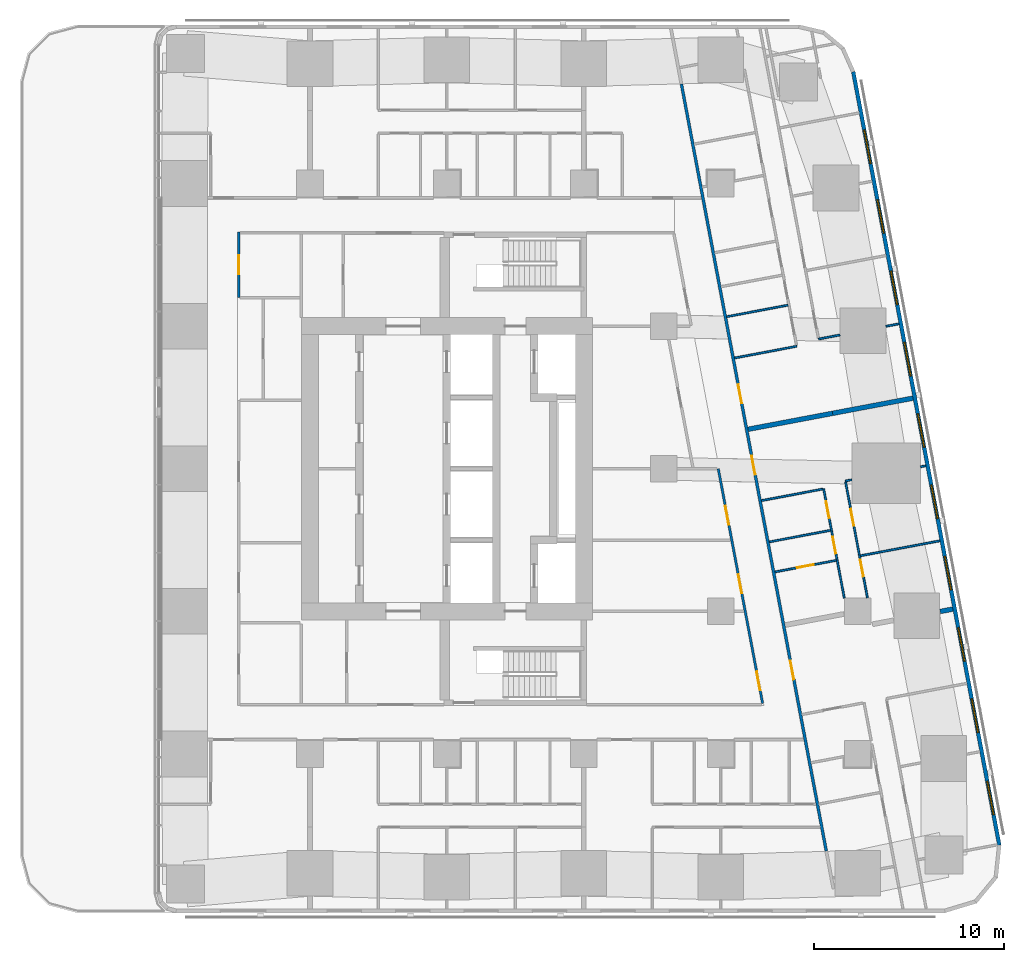
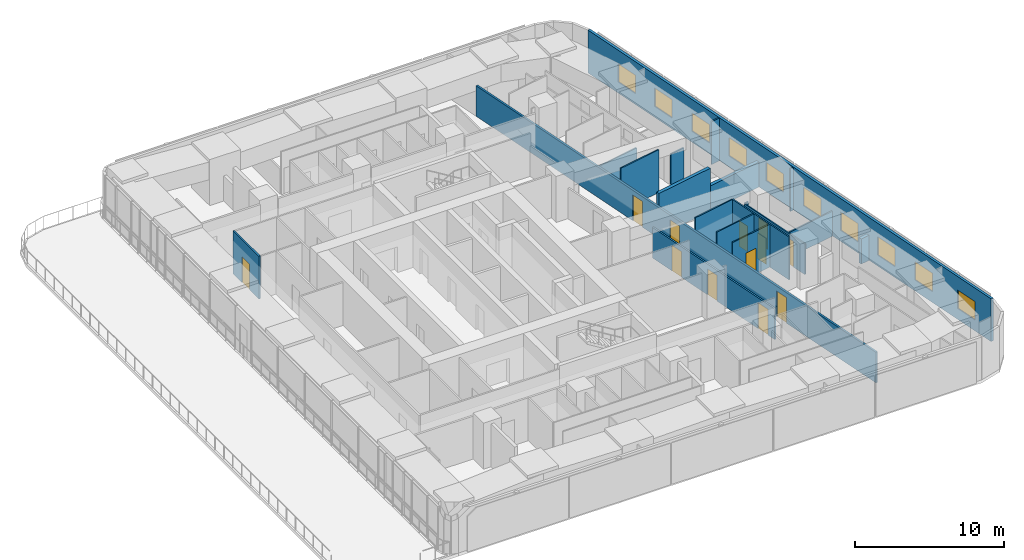
# One storey, part 11 of 17: 19 walls, 12 doors, 10 windows, 22 openings.
"""IFC4 building model written with IfcOpenShell, lengths in metres."""

from ifc_helpers import new_model, si_unit, direction, frame, frame_2d, origin, place, context, subcontext, project, spatial, rectangle, extrude, material, layer, layer_set, type_object, element, fill, save


model = new_model("IFC4")

# Units and contexts
model_context = context("Model", 3, precision=1e-05, world=origin(), true_north=direction((0.0, 1.0)))
body_context = subcontext(model_context, "Body", "Model", "MODEL_VIEW")
ifc_project = project(units=[si_unit("LENGTHUNIT", "METRE"), si_unit("AREAUNIT", "SQUARE_METRE"), si_unit("VOLUMEUNIT", "CUBIC_METRE"), si_unit("PLANEANGLEUNIT", "RADIAN"), si_unit("MASSUNIT", "GRAM", prefix="KILO")], contexts=[model_context])

# Site, building, storey
site_placement = place(None, origin())
site = spatial("IfcSite", under=ifc_project, at=site_placement, CompositionType="ELEMENT")
building_placement = place(site_placement, origin())
building = spatial("IfcBuilding", under=site, at=building_placement, Name="Sheger Commons Tower", CompositionType="ELEMENT")
storey_placement = place(building_placement, frame((0.0, 0.0, 193.699951171875)))
storey = spatial("IfcBuildingStorey", under=building, at=storey_placement, Name="L49", CompositionType="ELEMENT", Elevation=193.699951171875)

# Wall, openings, doors
ifc_material_1 = material(Name="Hollow concrete block masonry, skimmed both sides", Category="masonry")
ifc_layer_1 = layer(ifc_material_1, 0.14990234375)
ifc_layer_set_1 = layer_set([ifc_layer_1], Name="CORRIDOR WALL 150")
wall_type_1 = type_object("IfcWallType", Name="CORRIDOR WALL 150", PredefinedType="SOLIDWALL", material=ifc_layer_set_1)
wall_1_placement = place(storey_placement, frame((33.93310546875, 42.72998046875, 0.0), z_axis=(0.0, 0.0, 1.0), x_axis=(0.185595417643, -0.982626246825, 0.0)))
wall_1 = element("IfcWall", 1, at=wall_1_placement, inside=storey, type_object=wall_type_1, Name="Corridor wall L49", PredefinedType="SOLIDWALL", context=body_context, shape_type="SweptSolid", body=[
    extrude(rectangle(XDim=41.051025390625, YDim=0.14990234375, at=frame_2d((20.525390625, 0.0))), origin(), (0.0, 0.0, 1.0), 2.5),
])
opening_1_placement = place(wall_1_placement, frame((16.08203125, 0.0, 0.0)))
opening_1 = element("IfcOpeningElement", 2, at=opening_1_placement, cuts=wall_1, Name="Opening D1", PredefinedType="OPENING", context=body_context, shape_type="SweptSolid", body=[
    extrude(rectangle(XDim=1.0, YDim=2.10009765625, at=frame_2d((0.5, 1.050048828125))), frame((0.0, 0.0849609375, 0.0), z_axis=(0.0, -1.0, 0.0), x_axis=(1.0, 0.0, 0.0)), (0.0, 0.0, 1.0), 0.169921875),
])
opening_2_placement = place(wall_1_placement, frame((19.89794921875, 0.0, 0.0)))
opening_2 = element("IfcOpeningElement", 3, at=opening_2_placement, cuts=wall_1, Name="Opening D1", PredefinedType="OPENING", context=body_context, shape_type="SweptSolid", body=[
    extrude(rectangle(XDim=1.0, YDim=2.10009765625, at=frame_2d((0.5, 1.050048828125))), frame((0.0, 0.0849609375, 0.0), z_axis=(0.0, -1.0, 0.0), x_axis=(1.0, 0.0, 0.0)), (0.0, 0.0, 1.0), 0.169921875),
])
opening_3_placement = place(wall_1_placement, frame((30.862060546875, 0.0, 0.0)))
opening_3 = element("IfcOpeningElement", 4, at=opening_3_placement, cuts=wall_1, Name="Opening D1", PredefinedType="OPENING", context=body_context, shape_type="SweptSolid", body=[
    extrude(rectangle(XDim=1.0, YDim=2.10009765625, at=frame_2d((0.5, 1.050048828125))), frame((0.0, 0.0849609375, 0.0), z_axis=(0.0, -1.0, 0.0), x_axis=(1.0, 0.0, 0.0)), (0.0, 0.0, 1.0), 0.169921875),
])
ifc_material_2 = material(Name="Steel door set, fire rated", Category="steel")
door_type_1 = type_object("IfcDoorType", Name="FLAT ENTRANCE DOOR 1000x2100", OperationType="NOTDEFINED", PredefinedType="DOOR", material=ifc_material_2)
door_1_placement = place(opening_1_placement, origin())
door_1 = element("IfcDoor", 5, at=door_1_placement, inside=storey, type_object=door_type_1, Name="Flat entrance door", OperationType="SINGLE_SWING_LEFT", OverallHeight=2.10009765625, OverallWidth=1.0, PredefinedType="DOOR", context=body_context, shape_type="SweptSolid", body=[
    extrude(rectangle(XDim=1.0, YDim=2.10009765625, at=frame_2d((0.5, 1.050048828125))), frame((0.0, 0.02490234375, 0.0), z_axis=(0.0, -1.0, 0.0), x_axis=(1.0, 0.0, 0.0)), (0.0, 0.0, 1.0), 0.050048828125),
])
fill(opening_1, door_1)
door_2_placement = place(opening_2_placement, origin())
door_2 = element("IfcDoor", 6, at=door_2_placement, inside=storey, type_object=door_type_1, Name="Flat entrance door", OperationType="SINGLE_SWING_RIGHT", OverallHeight=2.10009765625, OverallWidth=1.0, PredefinedType="DOOR", context=body_context, shape_type="SweptSolid", body=[
    extrude(rectangle(XDim=1.0, YDim=2.10009765625, at=frame_2d((0.5, 1.050048828125))), frame((0.0, 0.02490234375, 0.0), z_axis=(0.0, -1.0, 0.0), x_axis=(1.0, 0.0, 0.0)), (0.0, 0.0, 1.0), 0.050048828125),
])
fill(opening_2, door_2)
door_3_placement = place(opening_3_placement, origin())
door_3 = element("IfcDoor", 7, at=door_3_placement, inside=storey, type_object=door_type_1, Name="Flat entrance door", OperationType="SINGLE_SWING_LEFT", OverallHeight=2.10009765625, OverallWidth=1.0, PredefinedType="DOOR", context=body_context, shape_type="SweptSolid", body=[
    extrude(rectangle(XDim=1.0, YDim=2.10009765625, at=frame_2d((0.5, 1.050048828125))), frame((0.0, 0.02490234375, 0.0), z_axis=(0.0, -1.0, 0.0), x_axis=(1.0, 0.0, 0.0)), (0.0, 0.0, 1.0), 0.050048828125),
])
fill(opening_3, door_3)

# Walls
ifc_material_3 = material(Name="Dense concrete block masonry, plastered both sides (separating wall between flats)", Category="masonry")
ifc_layer_2 = layer(ifc_material_3, 0.25)
ifc_layer_set_2 = layer_set([ifc_layer_2], Name="DEMISING WALL 250")
wall_type_2 = type_object("IfcWallType", Name="DEMISING WALL 250", PredefinedType="SOLIDWALL", material=ifc_layer_set_2)
wall_2_placement = place(storey_placement, frame((46.110107421875, 26.212890625, 0.0), z_axis=(0.0, 0.0, 1.0), x_axis=(-0.982633535512, -0.185556823879, 0.0)))
element("IfcWall", 8, at=wall_2_placement, inside=storey, type_object=wall_type_2, Name="Demising wall L49", PredefinedType="SOLIDWALL", context=body_context, shape_type="SweptSolid", body=[
    extrude(rectangle(XDim=4.2998046875, YDim=0.25, at=frame_2d((2.14990234375, 0.0))), origin(), (0.0, 0.0, 1.0), 2.050048828125),
])
wall_3_placement = place(storey_placement, frame((41.885009765625, 25.4150390625, 0.0), z_axis=(0.0, 0.0, 1.0), x_axis=(-0.982612837616, -0.185666398014, 0.0)))
element("IfcWall", 9, at=wall_3_placement, inside=storey, type_object=wall_type_2, Name="Demising wall L49", PredefinedType="SOLIDWALL", context=body_context, shape_type="SweptSolid", body=[
    extrude(rectangle(XDim=4.524658203125, YDim=0.25, at=frame_2d((2.26220703125, 0.0))), origin(), (0.0, 0.0, 1.0), 3.5),
])
wall_4_placement = place(storey_placement, frame((48.2060546875, 15.1201171875, 0.0), z_axis=(0.0, 0.0, 1.0), x_axis=(-0.982610999048, -0.18567612811, 0.0)))
element("IfcWall", 10, at=wall_4_placement, inside=storey, type_object=wall_type_2, Name="Demising wall L49", PredefinedType="SOLIDWALL", context=body_context, shape_type="SweptSolid", body=[
    extrude(rectangle(XDim=0.6796875, YDim=0.25, at=frame_2d((0.33984375, 0.0))), origin(), (0.0, 0.0, 1.0), 2.050048828125),
])

# Wall, openings, windows
ifc_material_4 = material(Name="Rendered concrete block masonry, dark grey", Category="masonry")
ifc_layer_3 = layer(ifc_material_4, 0.199951171875)
ifc_layer_set_3 = layer_set([ifc_layer_3], Name="FACADE WALL 200")
wall_type_3 = type_object("IfcWallType", Name="FACADE WALL 200", PredefinedType="SOLIDWALL", material=ifc_layer_set_3)
wall_5_placement = place(storey_placement, frame((50.653076171875, 2.702880859375, 0.0), z_axis=(0.0, 0.0, 1.0), x_axis=(-0.185612026696, 0.982623109613, 0.0)))
wall_5 = element("IfcWall", 11, at=wall_5_placement, inside=storey, type_object=wall_type_3, Name="Facade wall L49", PredefinedType="SOLIDWALL", context=body_context, shape_type="SweptSolid", body=[
    extrude(rectangle(XDim=41.393310546875, YDim=0.199951171875, at=frame_2d((20.69677734375, 0.0))), origin(), (0.0, 0.0, 1.0), 3.5),
])
opening_4_placement = place(wall_5_placement, frame((1.633056640625, 0.0, 0.89990234375)))
opening_4 = element("IfcOpeningElement", 12, at=opening_4_placement, cuts=wall_5, Name="Opening W2", PredefinedType="OPENING", context=body_context, shape_type="SweptSolid", body=[
    extrude(rectangle(XDim=1.800048828125, YDim=1.5, at=frame_2d((0.89990234375, 0.75))), frame((0.0, 0.10986328125, 0.0), z_axis=(0.0, -1.0, 0.0), x_axis=(1.0, 0.0, 0.0)), (0.0, 0.0, 1.0), 0.219970703125),
])
opening_5_placement = place(wall_5_placement, frame((6.031982421875, 0.0, 0.89990234375)))
opening_5 = element("IfcOpeningElement", 13, at=opening_5_placement, cuts=wall_5, Name="Opening W2", PredefinedType="OPENING", context=body_context, shape_type="SweptSolid", body=[
    extrude(rectangle(XDim=1.800048828125, YDim=1.5, at=frame_2d((0.89990234375, 0.75))), frame((0.0, 0.10986328125, 0.0), z_axis=(0.0, -1.0, 0.0), x_axis=(1.0, 0.0, 0.0)), (0.0, 0.0, 1.0), 0.219970703125),
])
opening_6_placement = place(wall_5_placement, frame((9.847900390625, 0.0, 0.89990234375)))
opening_6 = element("IfcOpeningElement", 14, at=opening_6_placement, cuts=wall_5, Name="Opening W2", PredefinedType="OPENING", context=body_context, shape_type="SweptSolid", body=[
    extrude(rectangle(XDim=1.800048828125, YDim=1.5, at=frame_2d((0.89990234375, 0.75))), frame((0.0, 0.10986328125, 0.0), z_axis=(0.0, -1.0, 0.0), x_axis=(1.0, 0.0, 0.0)), (0.0, 0.0, 1.0), 0.219970703125),
])
opening_7_placement = place(wall_5_placement, frame((13.6640625, 0.0, 0.89990234375)))
opening_7 = element("IfcOpeningElement", 15, at=opening_7_placement, cuts=wall_5, Name="Opening W2", PredefinedType="OPENING", context=body_context, shape_type="SweptSolid", body=[
    extrude(rectangle(XDim=1.800048828125, YDim=1.5, at=frame_2d((0.89990234375, 0.75))), frame((0.0, 0.10986328125, 0.0), z_axis=(0.0, -1.0, 0.0), x_axis=(1.0, 0.0, 0.0)), (0.0, 0.0, 1.0), 0.219970703125),
])
opening_8_placement = place(wall_5_placement, frame((17.48095703125, 0.0, 0.89990234375)))
opening_8 = element("IfcOpeningElement", 16, at=opening_8_placement, cuts=wall_5, Name="Opening W2", PredefinedType="OPENING", context=body_context, shape_type="SweptSolid", body=[
    extrude(rectangle(XDim=1.800048828125, YDim=1.5, at=frame_2d((0.89990234375, 0.75))), frame((0.0, 0.10986328125, 0.0), z_axis=(0.0, -1.0, 0.0), x_axis=(1.0, 0.0, 0.0)), (0.0, 0.0, 1.0), 0.219970703125),
])
opening_9_placement = place(wall_5_placement, frame((21.297119140625, 0.0, 0.89990234375)))
opening_9 = element("IfcOpeningElement", 17, at=opening_9_placement, cuts=wall_5, Name="Opening W2", PredefinedType="OPENING", context=body_context, shape_type="SweptSolid", body=[
    extrude(rectangle(XDim=1.800048828125, YDim=1.5, at=frame_2d((0.89990234375, 0.75))), frame((0.0, 0.10986328125, 0.0), z_axis=(0.0, -1.0, 0.0), x_axis=(1.0, 0.0, 0.0)), (0.0, 0.0, 1.0), 0.219970703125),
])
opening_10_placement = place(wall_5_placement, frame((25.113037109375, 0.0, 0.89990234375)))
opening_10 = element("IfcOpeningElement", 18, at=opening_10_placement, cuts=wall_5, Name="Opening W2", PredefinedType="OPENING", context=body_context, shape_type="SweptSolid", body=[
    extrude(rectangle(XDim=1.800048828125, YDim=1.5, at=frame_2d((0.89990234375, 0.75))), frame((0.0, 0.10986328125, 0.0), z_axis=(0.0, -1.0, 0.0), x_axis=(1.0, 0.0, 0.0)), (0.0, 0.0, 1.0), 0.219970703125),
])
opening_11_placement = place(wall_5_placement, frame((28.929931640625, 0.0, 0.89990234375)))
opening_11 = element("IfcOpeningElement", 19, at=opening_11_placement, cuts=wall_5, Name="Opening W2", PredefinedType="OPENING", context=body_context, shape_type="SweptSolid", body=[
    extrude(rectangle(XDim=1.800048828125, YDim=1.5, at=frame_2d((0.89990234375, 0.75))), frame((0.0, 0.10986328125, 0.0), z_axis=(0.0, -1.0, 0.0), x_axis=(1.0, 0.0, 0.0)), (0.0, 0.0, 1.0), 0.219970703125),
])
opening_12_placement = place(wall_5_placement, frame((32.74609375, 0.0, 0.89990234375)))
opening_12 = element("IfcOpeningElement", 20, at=opening_12_placement, cuts=wall_5, Name="Opening W2", PredefinedType="OPENING", context=body_context, shape_type="SweptSolid", body=[
    extrude(rectangle(XDim=1.800048828125, YDim=1.5, at=frame_2d((0.89990234375, 0.75))), frame((0.0, 0.10986328125, 0.0), z_axis=(0.0, -1.0, 0.0), x_axis=(1.0, 0.0, 0.0)), (0.0, 0.0, 1.0), 0.219970703125),
])
opening_13_placement = place(wall_5_placement, frame((36.48095703125, 0.0, 0.89990234375)))
opening_13 = element("IfcOpeningElement", 21, at=opening_13_placement, cuts=wall_5, Name="Opening W2", PredefinedType="OPENING", context=body_context, shape_type="SweptSolid", body=[
    extrude(rectangle(XDim=1.800048828125, YDim=1.5, at=frame_2d((0.89990234375, 0.75))), frame((0.0, 0.10986328125, 0.0), z_axis=(0.0, -1.0, 0.0), x_axis=(1.0, 0.0, 0.0)), (0.0, 0.0, 1.0), 0.219970703125),
])
ifc_material_5 = material(Name="Black aluminium frame, dark tinted double glazing", Category="aluminium")
window_type = type_object("IfcWindowType", Name="WINDOW W2 1800x1500", PartitioningType="SINGLE_PANEL", PredefinedType="WINDOW", material=ifc_material_5)
window_1_placement = place(opening_4_placement, origin())
window_1 = element("IfcWindow", 22, at=window_1_placement, inside=storey, type_object=window_type, Name="Window W2 1800X1500", OverallHeight=1.5, OverallWidth=1.800048828125, PartitioningType="SINGLE_PANEL", PredefinedType="WINDOW", context=body_context, shape_type="SweptSolid", body=[
    extrude(rectangle(XDim=1.800048828125, YDim=1.5, at=frame_2d((0.89990234375, 0.75))), frame((0.0, 0.030029296875, 0.0), z_axis=(0.0, -1.0, 0.0), x_axis=(1.0, 0.0, 0.0)), (0.0, 0.0, 1.0), 0.06005859375),
])
fill(opening_4, window_1)
window_2_placement = place(opening_5_placement, origin())
window_2 = element("IfcWindow", 23, at=window_2_placement, inside=storey, type_object=window_type, Name="Window W2 1800X1500", OverallHeight=1.5, OverallWidth=1.800048828125, PartitioningType="SINGLE_PANEL", PredefinedType="WINDOW", context=body_context, shape_type="SweptSolid", body=[
    extrude(rectangle(XDim=1.800048828125, YDim=1.5, at=frame_2d((0.89990234375, 0.75))), frame((0.0, 0.030029296875, 0.0), z_axis=(0.0, -1.0, 0.0), x_axis=(1.0, 0.0, 0.0)), (0.0, 0.0, 1.0), 0.06005859375),
])
fill(opening_5, window_2)
window_3_placement = place(opening_6_placement, origin())
window_3 = element("IfcWindow", 24, at=window_3_placement, inside=storey, type_object=window_type, Name="Window W2 1800X1500", OverallHeight=1.5, OverallWidth=1.800048828125, PartitioningType="SINGLE_PANEL", PredefinedType="WINDOW", context=body_context, shape_type="SweptSolid", body=[
    extrude(rectangle(XDim=1.800048828125, YDim=1.5, at=frame_2d((0.89990234375, 0.75))), frame((0.0, 0.030029296875, 0.0), z_axis=(0.0, -1.0, 0.0), x_axis=(1.0, 0.0, 0.0)), (0.0, 0.0, 1.0), 0.06005859375),
])
fill(opening_6, window_3)
window_4_placement = place(opening_7_placement, origin())
window_4 = element("IfcWindow", 25, at=window_4_placement, inside=storey, type_object=window_type, Name="Window W2 1800X1500", OverallHeight=1.5, OverallWidth=1.800048828125, PartitioningType="SINGLE_PANEL", PredefinedType="WINDOW", context=body_context, shape_type="SweptSolid", body=[
    extrude(rectangle(XDim=1.800048828125, YDim=1.5, at=frame_2d((0.89990234375, 0.75))), frame((0.0, 0.030029296875, 0.0), z_axis=(0.0, -1.0, 0.0), x_axis=(1.0, 0.0, 0.0)), (0.0, 0.0, 1.0), 0.06005859375),
])
fill(opening_7, window_4)
window_5_placement = place(opening_8_placement, origin())
window_5 = element("IfcWindow", 26, at=window_5_placement, inside=storey, type_object=window_type, Name="Window W2 1800X1500", OverallHeight=1.5, OverallWidth=1.800048828125, PartitioningType="SINGLE_PANEL", PredefinedType="WINDOW", context=body_context, shape_type="SweptSolid", body=[
    extrude(rectangle(XDim=1.800048828125, YDim=1.5, at=frame_2d((0.89990234375, 0.75))), frame((0.0, 0.030029296875, 0.0), z_axis=(0.0, -1.0, 0.0), x_axis=(1.0, 0.0, 0.0)), (0.0, 0.0, 1.0), 0.06005859375),
])
fill(opening_8, window_5)
window_6_placement = place(opening_9_placement, origin())
window_6 = element("IfcWindow", 27, at=window_6_placement, inside=storey, type_object=window_type, Name="Window W2 1800X1500", OverallHeight=1.5, OverallWidth=1.800048828125, PartitioningType="SINGLE_PANEL", PredefinedType="WINDOW", context=body_context, shape_type="SweptSolid", body=[
    extrude(rectangle(XDim=1.800048828125, YDim=1.5, at=frame_2d((0.89990234375, 0.75))), frame((0.0, 0.030029296875, 0.0), z_axis=(0.0, -1.0, 0.0), x_axis=(1.0, 0.0, 0.0)), (0.0, 0.0, 1.0), 0.06005859375),
])
fill(opening_9, window_6)
window_7_placement = place(opening_10_placement, origin())
window_7 = element("IfcWindow", 28, at=window_7_placement, inside=storey, type_object=window_type, Name="Window W2 1800X1500", OverallHeight=1.5, OverallWidth=1.800048828125, PartitioningType="SINGLE_PANEL", PredefinedType="WINDOW", context=body_context, shape_type="SweptSolid", body=[
    extrude(rectangle(XDim=1.800048828125, YDim=1.5, at=frame_2d((0.89990234375, 0.75))), frame((0.0, 0.030029296875, 0.0), z_axis=(0.0, -1.0, 0.0), x_axis=(1.0, 0.0, 0.0)), (0.0, 0.0, 1.0), 0.06005859375),
])
fill(opening_10, window_7)
window_8_placement = place(opening_11_placement, origin())
window_8 = element("IfcWindow", 29, at=window_8_placement, inside=storey, type_object=window_type, Name="Window W2 1800X1500", OverallHeight=1.5, OverallWidth=1.800048828125, PartitioningType="SINGLE_PANEL", PredefinedType="WINDOW", context=body_context, shape_type="SweptSolid", body=[
    extrude(rectangle(XDim=1.800048828125, YDim=1.5, at=frame_2d((0.89990234375, 0.75))), frame((0.0, 0.030029296875, 0.0), z_axis=(0.0, -1.0, 0.0), x_axis=(1.0, 0.0, 0.0)), (0.0, 0.0, 1.0), 0.06005859375),
])
fill(opening_11, window_8)
window_9_placement = place(opening_12_placement, origin())
window_9 = element("IfcWindow", 30, at=window_9_placement, inside=storey, type_object=window_type, Name="Window W2 1800X1500", OverallHeight=1.5, OverallWidth=1.800048828125, PartitioningType="SINGLE_PANEL", PredefinedType="WINDOW", context=body_context, shape_type="SweptSolid", body=[
    extrude(rectangle(XDim=1.800048828125, YDim=1.5, at=frame_2d((0.89990234375, 0.75))), frame((0.0, 0.030029296875, 0.0), z_axis=(0.0, -1.0, 0.0), x_axis=(1.0, 0.0, 0.0)), (0.0, 0.0, 1.0), 0.06005859375),
])
fill(opening_12, window_9)
window_10_placement = place(opening_13_placement, origin())
window_10 = element("IfcWindow", 31, at=window_10_placement, inside=storey, type_object=window_type, Name="Window W2 1800X1500", OverallHeight=1.5, OverallWidth=1.800048828125, PartitioningType="SINGLE_PANEL", PredefinedType="WINDOW", context=body_context, shape_type="SweptSolid", body=[
    extrude(rectangle(XDim=1.800048828125, YDim=1.5, at=frame_2d((0.89990234375, 0.75))), frame((0.0, 0.030029296875, 0.0), z_axis=(0.0, -1.0, 0.0), x_axis=(1.0, 0.0, 0.0)), (0.0, 0.0, 1.0), 0.06005859375),
])
fill(opening_13, window_10)

# Walls
ifc_material_6 = material(Name="Gypsum board on steel studs", Category="steel")
ifc_layer_4 = layer(ifc_material_6, 0.10009765625)
ifc_layer_set_4 = layer_set([ifc_layer_4], Name="PARTITION 100")
wall_type_4 = type_object("IfcWallType", Name="PARTITION 100", PredefinedType="PARTITIONING", material=ifc_layer_set_4)
wall_6_placement = place(storey_placement, frame((45.3720703125, 30.12109375, 0.0), z_axis=(0.0, 0.0, 1.0), x_axis=(-0.98254419619, -0.186029305578, 0.0)))
element("IfcWall", 32, at=wall_6_placement, inside=storey, type_object=wall_type_4, Name="Partition L49", PredefinedType="PARTITIONING", context=body_context, shape_type="SweptSolid", body=[
    extrude(rectangle(XDim=0.6943359375, YDim=0.10009765625, at=frame_2d((0.34716796875, 0.0))), origin(), (0.0, 0.0, 1.0), 3.5),
])
wall_7_placement = place(storey_placement, frame((42.27001953125, 29.534912109375, 0.0), z_axis=(0.0, 0.0, 1.0), x_axis=(-0.982502700549, -0.186248338017, 0.0)))
element("IfcWall", 33, at=wall_7_placement, inside=storey, type_object=wall_type_4, Name="Partition L49", PredefinedType="PARTITIONING", context=body_context, shape_type="SweptSolid", body=[
    extrude(rectangle(XDim=1.14306640625, YDim=0.10009765625, at=frame_2d((0.571533203125, 0.0))), origin(), (0.0, 0.0, 1.0), 2.5),
])
wall_8_placement = place(storey_placement, frame((39.9970703125, 28.94189453125, 0.0), z_axis=(0.0, 0.0, 1.0), x_axis=(-0.982569883123, -0.185893584556, 0.0)))
element("IfcWall", 34, at=wall_8_placement, inside=storey, type_object=wall_type_4, Name="Partition L49", PredefinedType="PARTITIONING", context=body_context, shape_type="SweptSolid", body=[
    extrude(rectangle(XDim=3.323974609375, YDim=0.10009765625, at=frame_2d((1.662109375, 0.0))), origin(), (0.0, 0.0, 1.0), 3.5),
])
wall_9_placement = place(storey_placement, frame((39.5380859375, 31.10400390625, 0.0), z_axis=(0.0, 0.0, 1.0), x_axis=(-0.982620626894, -0.185625169636, 0.0)))
element("IfcWall", 35, at=wall_9_placement, inside=storey, type_object=wall_type_4, Name="Partition L49", PredefinedType="PARTITIONING", context=body_context, shape_type="SweptSolid", body=[
    extrude(rectangle(XDim=3.27490234375, YDim=0.10009765625, at=frame_2d((1.637451171875, 0.0))), origin(), (0.0, 0.0, 1.0), 2.5),
])

# Wall, openings, doors
wall_10_placement = place(storey_placement, frame((42.56591796875, 21.80908203125, 0.0), z_axis=(0.0, 0.0, 1.0), x_axis=(0.185613526435, -0.98262282632, 0.0)))
wall_10 = element("IfcWall", 36, at=wall_10_placement, inside=storey, type_object=wall_type_4, Name="Partition L49", PredefinedType="PARTITIONING", context=body_context, shape_type="SweptSolid", body=[
    extrude(rectangle(XDim=6.20703125, YDim=0.10009765625, at=frame_2d((3.103515625, 0.0))), origin(), (0.0, 0.0, 1.0), 2.5),
])
opening_14_placement = place(wall_10_placement, frame((1.449951171875, 0.0, 0.0)))
opening_14 = element("IfcOpeningElement", 37, at=opening_14_placement, cuts=wall_10, Name="Opening D2", PredefinedType="OPENING", context=body_context, shape_type="SweptSolid", body=[
    extrude(rectangle(XDim=0.89990234375, YDim=2.10009765625, at=frame_2d((0.449951171875, 1.050048828125))), frame((0.0, 0.06005859375, 0.0), z_axis=(0.0, -1.0, 0.0), x_axis=(1.0, 0.0, 0.0)), (0.0, 0.0, 1.0), 0.1201171875),
])
opening_15_placement = place(wall_10_placement, frame((4.1630859375, 0.0, 0.0)))
opening_15 = element("IfcOpeningElement", 38, at=opening_15_placement, cuts=wall_10, Name="Opening D2", PredefinedType="OPENING", context=body_context, shape_type="SweptSolid", body=[
    extrude(rectangle(XDim=0.89990234375, YDim=2.10009765625, at=frame_2d((0.449951171875, 1.050048828125))), frame((0.0, 0.06005859375, 0.0), z_axis=(0.0, -1.0, 0.0), x_axis=(1.0, 0.0, 0.0)), (0.0, 0.0, 1.0), 0.1201171875),
])
ifc_material_7 = material(Name="Timber door set", Category="wood")
door_type_2 = type_object("IfcDoorType", Name="INTERNAL DOOR 900x2100", OperationType="NOTDEFINED", PredefinedType="DOOR", material=ifc_material_7)
door_4_placement = place(opening_14_placement, origin())
door_4 = element("IfcDoor", 39, at=door_4_placement, inside=storey, type_object=door_type_2, Name="Main bedroom door", OperationType="SINGLE_SWING_LEFT", OverallHeight=2.10009765625, OverallWidth=0.89990234375, PredefinedType="DOOR", context=body_context, shape_type="SweptSolid", body=[
    extrude(rectangle(XDim=0.89990234375, YDim=2.10009765625, at=frame_2d((0.449951171875, 1.050048828125))), frame((0.0, 0.02490234375, 0.0), z_axis=(0.0, -1.0, 0.0), x_axis=(1.0, 0.0, 0.0)), (0.0, 0.0, 1.0), 0.050048828125),
])
fill(opening_14, door_4)
door_5_placement = place(opening_15_placement, origin())
door_5 = element("IfcDoor", 40, at=door_5_placement, inside=storey, type_object=door_type_2, Name="Bedroom 2 door", OperationType="SINGLE_SWING_LEFT", OverallHeight=2.10009765625, OverallWidth=0.89990234375, PredefinedType="DOOR", context=body_context, shape_type="SweptSolid", body=[
    extrude(rectangle(XDim=0.89990234375, YDim=2.10009765625, at=frame_2d((0.449951171875, 1.050048828125))), frame((0.0, 0.02490234375, 0.0), z_axis=(0.0, -1.0, 0.0), x_axis=(1.0, 0.0, 0.0)), (0.0, 0.0, 1.0), 0.050048828125),
])
fill(opening_15, door_5)

wall_11_placement = place(storey_placement, frame((41.4140625, 21.44189453125, 0.0), z_axis=(0.0, 0.0, 1.0), x_axis=(0.185698675093, -0.982606738257, 0.0)))
wall_11 = element("IfcWall", 41, at=wall_11_placement, inside=storey, type_object=wall_type_4, Name="Partition L49", PredefinedType="PARTITIONING", context=body_context, shape_type="SweptSolid", body=[
    extrude(rectangle(XDim=5.842529296875, YDim=0.10009765625, at=frame_2d((2.92138671875, 0.0))), origin(), (0.0, 0.0, 1.0), 3.5),
])
opening_16_placement = place(wall_11_placement, frame((0.655029296875, 0.0, 0.0)))
opening_16 = element("IfcOpeningElement", 42, at=opening_16_placement, cuts=wall_11, Name="Opening D2", PredefinedType="OPENING", context=body_context, shape_type="SweptSolid", body=[
    extrude(rectangle(XDim=0.89990234375, YDim=2.10009765625, at=frame_2d((0.449951171875, 1.050048828125))), frame((0.0, 0.06005859375, 0.0), z_axis=(0.0, -1.0, 0.0), x_axis=(1.0, 0.0, 0.0)), (0.0, 0.0, 1.0), 0.1201171875),
])
opening_17_placement = place(wall_11_placement, frame((2.56298828125, 0.0, 0.0)))
opening_17 = element("IfcOpeningElement", 43, at=opening_17_placement, cuts=wall_11, Name="Opening D2", PredefinedType="OPENING", context=body_context, shape_type="SweptSolid", body=[
    extrude(rectangle(XDim=0.89990234375, YDim=2.10009765625, at=frame_2d((0.449951171875, 1.050048828125))), frame((0.0, 0.06005859375, 0.0), z_axis=(0.0, -1.0, 0.0), x_axis=(1.0, 0.0, 0.0)), (0.0, 0.0, 1.0), 0.1201171875),
])
door_6_placement = place(opening_16_placement, origin())
door_6 = element("IfcDoor", 44, at=door_6_placement, inside=storey, type_object=door_type_2, Name="Bathroom door", OperationType="SINGLE_SWING_RIGHT", OverallHeight=2.10009765625, OverallWidth=0.89990234375, PredefinedType="DOOR", context=body_context, shape_type="SweptSolid", body=[
    extrude(rectangle(XDim=0.89990234375, YDim=2.10009765625, at=frame_2d((0.449951171875, 1.050048828125))), frame((0.0, 0.02490234375, 0.0), z_axis=(0.0, -1.0, 0.0), x_axis=(1.0, 0.0, 0.0)), (0.0, 0.0, 1.0), 0.050048828125),
])
fill(opening_16, door_6)
door_7_placement = place(opening_17_placement, origin())
door_7 = element("IfcDoor", 45, at=door_7_placement, inside=storey, type_object=door_type_2, Name="Store door", OperationType="SINGLE_SWING_LEFT", OverallHeight=2.10009765625, OverallWidth=0.89990234375, PredefinedType="DOOR", context=body_context, shape_type="SweptSolid", body=[
    extrude(rectangle(XDim=0.89990234375, YDim=2.10009765625, at=frame_2d((0.449951171875, 1.050048828125))), frame((0.0, 0.02490234375, 0.0), z_axis=(0.0, -1.0, 0.0), x_axis=(1.0, 0.0, 0.0)), (0.0, 0.0, 1.0), 0.050048828125),
])
fill(opening_17, door_7)

# Walls
wall_12_placement = place(storey_placement, frame((46.781982421875, 22.656982421875, 0.0), z_axis=(0.0, 0.0, 1.0), x_axis=(-0.982574553168, -0.185868898601, 0.0)))
element("IfcWall", 46, at=wall_12_placement, inside=storey, type_object=wall_type_4, Name="Partition L49", PredefinedType="PARTITIONING", context=body_context, shape_type="SweptSolid", body=[
    extrude(rectangle(XDim=0.27978515625, YDim=0.10009765625, at=frame_2d((0.139892578125, 0.0))), origin(), (0.0, 0.0, 1.0), 3.5),
])
wall_13_placement = place(storey_placement, frame((42.886962890625, 21.9208984375, 0.0), z_axis=(0.0, 0.0, 1.0), x_axis=(-0.982274918032, -0.187445953293, 0.0)))
element("IfcWall", 47, at=wall_13_placement, inside=storey, type_object=wall_type_4, Name="Partition L49", PredefinedType="PARTITIONING", context=body_context, shape_type="SweptSolid", body=[
    extrude(rectangle(XDim=0.3359375, YDim=0.10009765625, at=frame_2d((0.16796875, 0.0))), origin(), (0.0, 0.0, 1.0), 2.5),
])
wall_14_placement = place(storey_placement, frame((47.527099609375, 18.7119140625, 0.0), z_axis=(0.0, 0.0, 1.0), x_axis=(-0.982665405803, -0.185387972203, 0.0)))
element("IfcWall", 48, at=wall_14_placement, inside=storey, type_object=wall_type_4, Name="Partition L49", PredefinedType="PARTITIONING", context=body_context, shape_type="SweptSolid", body=[
    extrude(rectangle(XDim=4.249755859375, YDim=0.10009765625, at=frame_2d((2.125, 0.0))), origin(), (0.0, 0.0, 1.0), 2.050048828125),
])
wall_15_placement = place(storey_placement, frame((41.364990234375, 21.43310546875, 0.0), z_axis=(0.0, 0.0, 1.0), x_axis=(-0.982607026909, -0.185697147715, 0.0)))
element("IfcWall", 49, at=wall_15_placement, inside=storey, type_object=wall_type_4, Name="Partition L49", PredefinedType="PARTITIONING", context=body_context, shape_type="SweptSolid", body=[
    extrude(rectangle(XDim=3.27490234375, YDim=0.10009765625, at=frame_2d((1.637451171875, 0.0))), origin(), (0.0, 0.0, 1.0), 3.5),
])

# Wall, opening, door
wall_16_placement = place(storey_placement, frame((42.072998046875, 17.681884765625, 0.0), z_axis=(0.0, 0.0, 1.0), x_axis=(-0.982620626894, -0.185625169636, 0.0)))
wall_16 = element("IfcWall", 50, at=wall_16_placement, inside=storey, type_object=wall_type_4, Name="Partition L49", PredefinedType="PARTITIONING", context=body_context, shape_type="SweptSolid", body=[
    extrude(rectangle(XDim=3.27490234375, YDim=0.10009765625, at=frame_2d((1.637451171875, 0.0))), origin(), (0.0, 0.0, 1.0), 3.5),
])
opening_18_placement = place(wall_16_placement, frame((1.199951171875, 0.0, 0.0)))
opening_18 = element("IfcOpeningElement", 51, at=opening_18_placement, cuts=wall_16, Name="Opening D2", PredefinedType="OPENING", context=body_context, shape_type="SweptSolid", body=[
    extrude(rectangle(XDim=0.89990234375, YDim=2.10009765625, at=frame_2d((0.449951171875, 1.050048828125))), frame((0.0, 0.06005859375, 0.0), z_axis=(0.0, -1.0, 0.0), x_axis=(1.0, 0.0, 0.0)), (0.0, 0.0, 1.0), 0.1201171875),
])
door_8_placement = place(opening_18_placement, origin())
door_8 = element("IfcDoor", 52, at=door_8_placement, inside=storey, type_object=door_type_2, Name="Store door", OperationType="SINGLE_SWING_LEFT", OverallHeight=2.10009765625, OverallWidth=0.89990234375, PredefinedType="DOOR", context=body_context, shape_type="SweptSolid", body=[
    extrude(rectangle(XDim=0.89990234375, YDim=2.10009765625, at=frame_2d((0.449951171875, 1.050048828125))), frame((0.0, 0.02490234375, 0.0), z_axis=(0.0, -1.0, 0.0), x_axis=(1.0, 0.0, 0.0)), (0.0, 0.0, 1.0), 0.050048828125),
])
fill(opening_18, door_8)

# Wall
wall_17_placement = place(storey_placement, frame((41.77490234375, 19.260986328125, 0.0), z_axis=(0.0, 0.0, 1.0), x_axis=(-0.982620626894, -0.185625169636, 0.0)))
element("IfcWall", 53, at=wall_17_placement, inside=storey, type_object=wall_type_4, Name="Partition L49", PredefinedType="PARTITIONING", context=body_context, shape_type="SweptSolid", body=[
    extrude(rectangle(XDim=3.27490234375, YDim=0.10009765625, at=frame_2d((1.637451171875, 0.0))), origin(), (0.0, 0.0, 1.0), 3.5),
])

# Wall, opening, door
ifc_material_8 = material(Name="Gypsum board on steel studs, two layers each side, fire rated", Category="steel")
ifc_layer_5 = layer(ifc_material_8, 0.125)
ifc_layer_set_5 = layer_set([ifc_layer_5], Name="SERVICE WALL 125")
wall_type_5 = type_object("IfcWallType", Name="SERVICE WALL 125", PredefinedType="PARTITIONING", material=ifc_layer_set_5)
wall_18_placement = place(storey_placement, frame((10.64990234375, 31.5, 0.0), z_axis=(0.0, 0.0, 1.0), x_axis=(0.0, 1.0, 0.0)))
wall_18 = element("IfcWall", 54, at=wall_18_placement, inside=storey, type_object=wall_type_5, Name="Service room wall L49", PredefinedType="PARTITIONING", context=body_context, shape_type="SweptSolid", body=[
    extrude(rectangle(XDim=3.449951171875, YDim=0.125, at=frame_2d((1.72509765625, 0.0))), origin(), (0.0, 0.0, 1.0), 3.5),
])
opening_19_placement = place(wall_18_placement, frame((1.22509765625, 0.0, 0.0)))
opening_19 = element("IfcOpeningElement", 55, at=opening_19_placement, cuts=wall_18, Name="Opening D4", PredefinedType="OPENING", context=body_context, shape_type="SweptSolid", body=[
    extrude(rectangle(XDim=1.0, YDim=2.10009765625, at=frame_2d((0.5, 1.050048828125))), frame((0.0, 0.072509765625, 0.0), z_axis=(0.0, -1.0, 0.0), x_axis=(1.0, 0.0, 0.0)), (0.0, 0.0, 1.0), 0.14501953125),
])
ifc_material_9 = material(Name="Steel door set, fire rated", Category="steel")
door_type_3 = type_object("IfcDoorType", Name="SERVICE DOOR 1000x2100", OperationType="NOTDEFINED", PredefinedType="DOOR", material=ifc_material_9)
door_9_placement = place(opening_19_placement, origin())
door_9 = element("IfcDoor", 56, at=door_9_placement, inside=storey, type_object=door_type_3, Name="Cleaner's store door", OperationType="SINGLE_SWING_LEFT", OverallHeight=2.10009765625, OverallWidth=1.0, PredefinedType="DOOR", context=body_context, shape_type="SweptSolid", body=[
    extrude(rectangle(XDim=1.0, YDim=2.10009765625, at=frame_2d((0.5, 1.050048828125))), frame((0.0, 0.02490234375, 0.0), z_axis=(0.0, -1.0, 0.0), x_axis=(1.0, 0.0, 0.0)), (0.0, 0.0, 1.0), 0.050048828125),
])
fill(opening_19, door_9)

# Wall, openings, doors
wall_19_placement = place(storey_placement, frame((38.201904296875, 10.1630859375, 0.0), z_axis=(0.0, 0.0, 1.0), x_axis=(-0.185645577403, 0.982616771479, 0.0)))
wall_19 = element("IfcWall", 57, at=wall_19_placement, inside=storey, type_object=wall_type_5, Name="Service room wall L49", PredefinedType="PARTITIONING", context=body_context, shape_type="SweptSolid", body=[
    extrude(rectangle(XDim=12.55517578125, YDim=0.125, at=frame_2d((6.277587890625, 0.0))), origin(), (0.0, 0.0, 1.0), 2.5),
])
opening_20_placement = place(wall_19_placement, frame((0.7080078125, 0.0, 0.0)))
opening_20 = element("IfcOpeningElement", 58, at=opening_20_placement, cuts=wall_19, Name="Opening D4", PredefinedType="OPENING", context=body_context, shape_type="SweptSolid", body=[
    extrude(rectangle(XDim=1.0, YDim=2.10009765625, at=frame_2d((0.5, 1.050048828125))), frame((0.0, 0.072509765625, 0.0), z_axis=(0.0, -1.0, 0.0), x_axis=(1.0, 0.0, 0.0)), (0.0, 0.0, 1.0), 0.14501953125),
])
opening_21_placement = place(wall_19_placement, frame((5.89990234375, 0.0, 0.0)))
opening_21 = element("IfcOpeningElement", 59, at=opening_21_placement, cuts=wall_19, Name="Opening D4", PredefinedType="OPENING", context=body_context, shape_type="SweptSolid", body=[
    extrude(rectangle(XDim=1.0, YDim=2.10009765625, at=frame_2d((0.5, 1.050048828125))), frame((0.0, 0.072509765625, 0.0), z_axis=(0.0, -1.0, 0.0), x_axis=(1.0, 0.0, 0.0)), (0.0, 0.0, 1.0), 0.14501953125),
])
opening_22_placement = place(wall_19_placement, frame((9.56201171875, 0.0, 0.0)))
opening_22 = element("IfcOpeningElement", 60, at=opening_22_placement, cuts=wall_19, Name="Opening D4", PredefinedType="OPENING", context=body_context, shape_type="SweptSolid", body=[
    extrude(rectangle(XDim=1.0, YDim=2.10009765625, at=frame_2d((0.5, 1.050048828125))), frame((0.0, 0.072509765625, 0.0), z_axis=(0.0, -1.0, 0.0), x_axis=(1.0, 0.0, 0.0)), (0.0, 0.0, 1.0), 0.14501953125),
])
door_10_placement = place(opening_20_placement, origin())
door_10 = element("IfcDoor", 61, at=door_10_placement, inside=storey, type_object=door_type_3, Name="Residents' study room door", OperationType="SINGLE_SWING_LEFT", OverallHeight=2.10009765625, OverallWidth=1.0, PredefinedType="DOOR", context=body_context, shape_type="SweptSolid", body=[
    extrude(rectangle(XDim=1.0, YDim=2.10009765625, at=frame_2d((0.5, 1.050048828125))), frame((0.0, 0.02490234375, 0.0), z_axis=(0.0, -1.0, 0.0), x_axis=(1.0, 0.0, 0.0)), (0.0, 0.0, 1.0), 0.050048828125),
])
fill(opening_20, door_10)
door_11_placement = place(opening_21_placement, origin())
door_11 = element("IfcDoor", 62, at=door_11_placement, inside=storey, type_object=door_type_3, Name="Residents' hobby room door", OperationType="SINGLE_SWING_LEFT", OverallHeight=2.10009765625, OverallWidth=1.0, PredefinedType="DOOR", context=body_context, shape_type="SweptSolid", body=[
    extrude(rectangle(XDim=1.0, YDim=2.10009765625, at=frame_2d((0.5, 1.050048828125))), frame((0.0, 0.02490234375, 0.0), z_axis=(0.0, -1.0, 0.0), x_axis=(1.0, 0.0, 0.0)), (0.0, 0.0, 1.0), 0.050048828125),
])
fill(opening_21, door_11)
door_12_placement = place(opening_22_placement, origin())
door_12 = element("IfcDoor", 63, at=door_12_placement, inside=storey, type_object=door_type_3, Name="Bicycle and pram store door", OperationType="SINGLE_SWING_LEFT", OverallHeight=2.10009765625, OverallWidth=1.0, PredefinedType="DOOR", context=body_context, shape_type="SweptSolid", body=[
    extrude(rectangle(XDim=1.0, YDim=2.10009765625, at=frame_2d((0.5, 1.050048828125))), frame((0.0, 0.02490234375, 0.0), z_axis=(0.0, -1.0, 0.0), x_axis=(1.0, 0.0, 0.0)), (0.0, 0.0, 1.0), 0.050048828125),
])
fill(opening_22, door_12)

save(model, "model.ifc")
